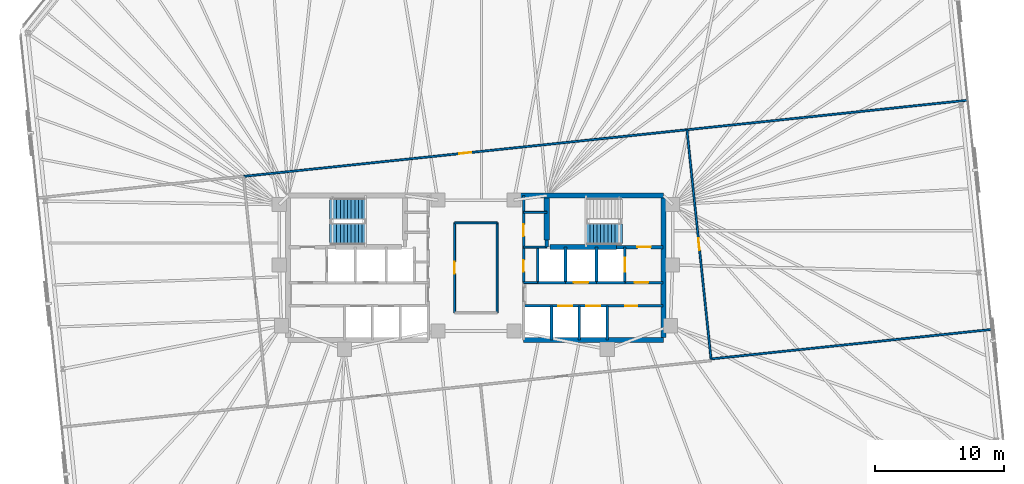
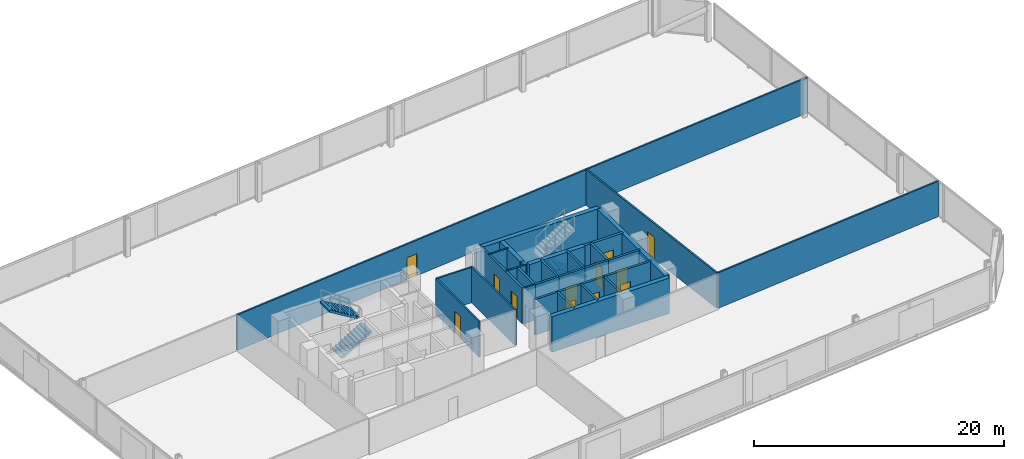
# One storey, part 15 of 17: 30 walls, 12 doors, 3 stair flights, 12 openings, 2 elements without a shape of their own.
"""IFC4 building model written with IfcOpenShell, lengths in metres."""

from ifc_helpers import new_model, si_unit, direction, frame, frame_2d, origin, place, context, subcontext, project, spatial, polyline, rectangle, outline, extrude, material, layer, layer_set, type_object, element, fill, aggregate, save


model = new_model("IFC4")

# Units and contexts
model_context = context("Model", 3, precision=1e-05, world=origin(), true_north=direction((0.0, 1.0)))
body_context = subcontext(model_context, "Body", "Model", "MODEL_VIEW")
ifc_project = project(units=[si_unit("LENGTHUNIT", "METRE"), si_unit("AREAUNIT", "SQUARE_METRE"), si_unit("VOLUMEUNIT", "CUBIC_METRE"), si_unit("PLANEANGLEUNIT", "RADIAN"), si_unit("MASSUNIT", "GRAM", prefix="KILO")], contexts=[model_context])

# Site, building, storey
site_placement = place(None, origin())
site = spatial("IfcSite", under=ifc_project, at=site_placement, CompositionType="ELEMENT")
building_placement = place(site_placement, origin())
building = spatial("IfcBuilding", under=site, at=building_placement, Name="Menara Jurai Vektor", CompositionType="ELEMENT")
storey_placement = place(building_placement, frame((0.0, 0.0, 87.39990234375)))
storey = spatial("IfcBuildingStorey", under=building, at=storey_placement, Name="L21", CompositionType="ELEMENT", Elevation=87.39990234375)

# Wall, opening, door
ifc_material_1 = material(Name="Concrete C40/50", Category="concrete")
ifc_layer_1 = layer(ifc_material_1, 0.25)
ifc_layer_set_1 = layer_set([ifc_layer_1], Name="Concrete C40/50")
wall_type_1 = type_object("IfcWallType", Name="INT-WALL-CORE-250", PredefinedType="STANDARD", material=ifc_layer_set_1)
wall_1_placement = place(storey_placement, frame((10.89990234375, 1.60009765625, 0.0), z_axis=(0.0, 0.0, 1.0), x_axis=(1.0, 0.0, 0.0)))
wall_1 = element("IfcWall", 1, at=wall_1_placement, inside=storey, type_object=wall_type_1, Name="Interior Wall IW-250 L21", PredefinedType="STANDARD", context=body_context, shape_type="SweptSolid", body=[
    extrude(rectangle(XDim=3.60009765625, YDim=0.25, at=frame_2d((1.800048828125, 0.0))), origin(), (0.0, 0.0, 1.0), 3.47509765625),
])
opening_1_placement = place(wall_1_placement, frame((1.6201171875, 0.0, 0.0)))
opening_1 = element("IfcOpeningElement", 2, at=opening_1_placement, cuts=wall_1, Name="Opening D-L21-ST2", PredefinedType="OPENING", context=body_context, shape_type="SweptSolid", body=[
    extrude(rectangle(XDim=1.050048828125, YDim=2.14990234375, at=frame_2d((0.52490234375, 1.074951171875))), frame((0.0, 0.135009765625, 0.0), z_axis=(0.0, -1.0, 0.0), x_axis=(1.0, 0.0, 0.0)), (0.0, 0.0, 1.0), 0.27001953125),
])
ifc_material_2 = material(Name="Fire-Rated Steel Door", Category="steel")
door_type_1 = type_object("IfcDoorType", Name="DR-STAIR-1050", OperationType="NOTDEFINED", PredefinedType="DOOR", material=ifc_material_2)
door_1_placement = place(opening_1_placement, origin())
door_1 = element("IfcDoor", 3, at=door_1_placement, inside=storey, type_object=door_type_1, Name="Exit Stair ST2 Door L21", OperationType="SINGLE_SWING_LEFT", OverallHeight=2.14990234375, OverallWidth=1.050048828125, PredefinedType="DOOR", context=body_context, shape_type="SweptSolid", body=[
    extrude(rectangle(XDim=1.050048828125, YDim=2.14990234375, at=frame_2d((0.52490234375, 1.074951171875))), frame((0.0, 0.02490234375, 0.0), z_axis=(0.0, -1.0, 0.0), x_axis=(1.0, 0.0, 0.0)), (0.0, 0.0, 1.0), 0.050048828125),
])
fill(opening_1, door_1)

# Wall
wall_2_placement = place(storey_placement, frame((5.5, 1.60009765625, 0.0), z_axis=(0.0, 0.0, 1.0), x_axis=(0.0, 1.0, 0.0)))
element("IfcWall", 4, at=wall_2_placement, inside=storey, type_object=wall_type_1, Name="Interior Wall IW-250 L21", PredefinedType="STANDARD", context=body_context, shape_type="SweptSolid", body=[
    extrude(rectangle(XDim=0.5498046875, YDim=0.25, at=frame_2d((0.27490234375, 0.0))), origin(), (0.0, 0.0, 1.0), 3.47509765625),
])

# Wall, opening, door
wall_3_placement = place(storey_placement, frame((11.550048828125, -1.14990234375, 0.0), z_axis=(0.0, 0.0, 1.0), x_axis=(0.0, 1.0, 0.0)))
wall_3 = element("IfcWall", 5, at=wall_3_placement, inside=storey, type_object=wall_type_1, Name="Interior Wall IW-250 L21", PredefinedType="STANDARD", context=body_context, shape_type="SweptSolid", body=[
    extrude(rectangle(XDim=2.75, YDim=0.199951171875, at=frame_2d((1.375, 0.0))), origin(), (0.0, 0.0, 1.0), 3.47509765625),
])
opening_2_placement = place(wall_3_placement, frame((0.824951171875, 0.0, 0.0)))
opening_2 = element("IfcOpeningElement", 6, at=opening_2_placement, cuts=wall_3, Name="Opening LD-L21-FL2", PredefinedType="OPENING", context=body_context, shape_type="SweptSolid", body=[
    extrude(rectangle(XDim=1.10009765625, YDim=2.14990234375, at=frame_2d((0.550048828125, 1.074951171875))), frame((0.0, 0.10986328125, 0.0), z_axis=(0.0, -1.0, 0.0), x_axis=(1.0, 0.0, 0.0)), (0.0, 0.0, 1.0), 0.219970703125),
])
ifc_material_3 = material(Name="Stainless Steel Sliding Lift Landing Door", Category="steel")
door_type_2 = type_object("IfcDoorType", Name="DR-LIFT-FIRE-1100", OperationType="NOTDEFINED", PredefinedType="DOOR", material=ifc_material_3)
door_2_placement = place(opening_2_placement, origin())
door_2 = element("IfcDoor", 7, at=door_2_placement, inside=storey, type_object=door_type_2, Name="Lift Landing Door FL2 L21", OperationType="SLIDING_TO_RIGHT", OverallHeight=2.14990234375, OverallWidth=1.10009765625, PredefinedType="DOOR", context=body_context, shape_type="SweptSolid", body=[
    extrude(rectangle(XDim=1.10009765625, YDim=2.14990234375, at=frame_2d((0.550048828125, 1.074951171875))), frame((0.0, 0.02490234375, 0.0), z_axis=(0.0, -1.0, 0.0), x_axis=(1.0, 0.0, 0.0)), (0.0, 0.0, 1.0), 0.050048828125),
])
fill(opening_2, door_2)

# Wall
wall_4_placement = place(storey_placement, frame((9.35009765625, -1.14990234375, 0.0), z_axis=(0.0, 0.0, 1.0), x_axis=(0.0, 1.0, 0.0)))
element("IfcWall", 8, at=wall_4_placement, inside=storey, type_object=wall_type_1, Name="Interior Wall IW-250 L21", PredefinedType="STANDARD", context=body_context, shape_type="SweptSolid", body=[
    extrude(rectangle(XDim=2.75, YDim=0.199951171875, at=frame_2d((1.375, 0.0))), origin(), (0.0, 0.0, 1.0), 3.47509765625),
])

# Wall, opening, door
wall_5_placement = place(storey_placement, frame((11.550048828125, -1.14990234375, 0.0), z_axis=(0.0, 0.0, 1.0), x_axis=(1.0, 0.0, 0.0)))
wall_5 = element("IfcWall", 9, at=wall_5_placement, inside=storey, type_object=wall_type_1, Name="Interior Wall IW-250 L21", PredefinedType="STANDARD", context=body_context, shape_type="SweptSolid", body=[
    extrude(rectangle(XDim=2.949951171875, YDim=0.199951171875, at=frame_2d((1.47509765625, 0.0))), origin(), (0.0, 0.0, 1.0), 3.47509765625),
])
opening_3_placement = place(wall_5_placement, frame((0.75, 0.0, 0.0)))
opening_3 = element("IfcOpeningElement", 10, at=opening_3_placement, cuts=wall_5, Name="Opening D-L21-FFE", PredefinedType="OPENING", context=body_context, shape_type="SweptSolid", body=[
    extrude(rectangle(XDim=1.050048828125, YDim=2.179931640625, at=frame_2d((0.52490234375, 1.08984375))), frame((0.0, 0.10986328125, 0.0), z_axis=(0.0, -1.0, 0.0), x_axis=(1.0, 0.0, 0.0)), (0.0, 0.0, 1.0), 0.219970703125),
])
ifc_material_4 = material(Name="Fire-Rated Timber Door", Category="wood")
door_type_3 = type_object("IfcDoorType", Name="DR-LOBBY-1050", OperationType="NOTDEFINED", PredefinedType="DOOR", material=ifc_material_4)
door_3_placement = place(opening_3_placement, origin())
door_3 = element("IfcDoor", 11, at=door_3_placement, inside=storey, type_object=door_type_3, Name="Fire Lift Lobby Door E L21", OperationType="SINGLE_SWING_LEFT", OverallHeight=2.179931640625, OverallWidth=1.050048828125, PredefinedType="DOOR", context=body_context, shape_type="SweptSolid", body=[
    extrude(rectangle(XDim=1.050048828125, YDim=2.179931640625, at=frame_2d((0.52490234375, 1.08984375))), frame((0.0, 0.02490234375, 0.0), z_axis=(0.0, -1.0, 0.0), x_axis=(1.0, 0.0, 0.0)), (0.0, 0.0, 1.0), 0.050048828125),
])
fill(opening_3, door_3)

# Walls
wall_6_placement = place(storey_placement, frame((9.35009765625, -1.14990234375, 0.0), z_axis=(0.0, 0.0, 1.0), x_axis=(1.0, 0.0, 0.0)))
element("IfcWall", 12, at=wall_6_placement, inside=storey, type_object=wall_type_1, Name="Interior Wall IW-250 L21", PredefinedType="STANDARD", context=body_context, shape_type="SweptSolid", body=[
    extrude(rectangle(XDim=2.199951171875, YDim=0.199951171875, at=frame_2d((1.10009765625, 0.0))), origin(), (0.0, 0.0, 1.0), 3.47509765625),
])
ifc_material_5 = material(Name="Gypsum Fireboard Partition", Category="gypsum")
ifc_layer_2 = layer(ifc_material_5, 0.14990234375)
ifc_layer_set_2 = layer_set([ifc_layer_2], Name="Gypsum Fireboard Partition")
wall_type_2 = type_object("IfcWallType", Name="INT-WALL-CORR-150", PredefinedType="PARTITIONING", material=ifc_layer_set_2)
wall_7_placement = place(storey_placement, frame((3.699951171875, -1.14990234375, 0.0), z_axis=(0.0, 0.0, 1.0), x_axis=(1.0, 0.0, 0.0)))
element("IfcWall", 13, at=wall_7_placement, inside=storey, type_object=wall_type_2, Name="Interior Wall IW-150 L21", PredefinedType="PARTITIONING", context=body_context, shape_type="SweptSolid", body=[
    extrude(rectangle(XDim=1.090087890625, YDim=0.14990234375, at=frame_2d((0.544921875, 0.0))), origin(), (0.0, 0.0, 1.0), 3.47509765625),
])
for number, where, z_axis, x_axis, name in (
    (14, (3.699951171875, 4.300048828125, 0.0), (0.0, 0.0, 1.0), (1.0, 0.0, 0.0), "Interior Wall IW-150 L21"),
    (15, (3.699951171875, 1.60009765625, 0.0), (0.0, 0.0, 1.0), (1.0, 0.0, 0.0), "Interior Wall IW-150 L21"),
):
    element("IfcWall", number, at=place(storey_placement, frame(where, z_axis=z_axis, x_axis=x_axis)), inside=storey, type_object=wall_type_2, Name=name, PredefinedType="PARTITIONING", context=body_context, shape_type="SweptSolid", body=[
        extrude(rectangle(XDim=1.800048828125, YDim=0.14990234375, at=frame_2d((0.89990234375, 0.0))), origin(), (0.0, 0.0, 1.0), 3.47509765625),
    ])

# Wall, opening, door
wall_8_placement = place(storey_placement, frame((-1.649658203125, -3.490478515625, 0.0), z_axis=(0.0, 0.0, 1.0), x_axis=(-0.000104928124, 0.999999994495, 0.0)))
wall_8 = element("IfcWall", 16, at=wall_8_placement, inside=storey, type_object=wall_type_2, Name="Interior Wall IW-150 L21", PredefinedType="PARTITIONING", context=body_context, shape_type="SweptSolid", body=[
    extrude(rectangle(XDim=6.980224609375, YDim=0.14990234375, at=frame_2d((3.490234375, 0.0))), origin(), (0.0, 0.0, 1.0), 3.47509765625),
])
opening_4_placement = place(wall_8_placement, frame((3.01513671875, 0.0, 0.0)))
opening_4 = element("IfcOpeningElement", 17, at=opening_4_placement, cuts=wall_8, Name="Opening D21-08", PredefinedType="OPENING", context=body_context, shape_type="SweptSolid", body=[
    extrude(rectangle(XDim=0.949951171875, YDim=2.14990234375, at=frame_2d((0.47509765625, 1.074951171875))), frame((0.0, 0.0849609375, 0.0), z_axis=(0.0, -1.0, 0.0), x_axis=(1.0, 0.0, 0.0)), (0.0, 0.0, 1.0), 0.169921875),
])
ifc_material_6 = material(Name="Solid Core Timber Fire Door", Category="wood")
door_type_4 = type_object("IfcDoorType", Name="DR-ENTRY-950", OperationType="NOTDEFINED", PredefinedType="DOOR", material=ifc_material_6)
door_4_placement = place(opening_4_placement, origin())
door_4 = element("IfcDoor", 18, at=door_4_placement, inside=storey, type_object=door_type_4, Name="Interior Door D21-08", OperationType="SINGLE_SWING_LEFT", OverallHeight=2.14990234375, OverallWidth=0.949951171875, PredefinedType="DOOR", context=body_context, shape_type="SweptSolid", body=[
    extrude(rectangle(XDim=0.949951171875, YDim=2.14990234375, at=frame_2d((0.47509765625, 1.074951171875))), frame((0.0, 0.02490234375, 0.0), z_axis=(0.0, -1.0, 0.0), x_axis=(1.0, 0.0, 0.0)), (0.0, 0.0, 1.0), 0.050048828125),
])
fill(opening_4, door_4)

# Walls
wall_9_placement = place(storey_placement, frame((-1.650390625, 3.48974609375, 0.0), z_axis=(0.0, 0.0, 1.0), x_axis=(1.0, 0.0, 0.0)))
element("IfcWall", 19, at=wall_9_placement, inside=storey, type_object=wall_type_2, Name="Interior Wall IW-150 L21", PredefinedType="PARTITIONING", context=body_context, shape_type="SweptSolid", body=[
    extrude(rectangle(XDim=3.30029296875, YDim=0.14990234375, at=frame_2d((1.650146484375, 0.0))), origin(), (0.0, 0.0, 1.0), 3.47509765625),
])
wall_10_placement = place(storey_placement, frame((1.650390625, -3.490478515625, 0.0), z_axis=(0.0, 0.0, 1.0), x_axis=(-6.9952083e-05, 0.999999997553, 0.0)))
element("IfcWall", 20, at=wall_10_placement, inside=storey, type_object=wall_type_2, Name="Interior Wall IW-150 L21", PredefinedType="PARTITIONING", context=body_context, shape_type="SweptSolid", body=[
    extrude(rectangle(XDim=6.980224609375, YDim=0.14990234375, at=frame_2d((3.490234375, 0.0))), origin(), (0.0, 0.0, 1.0), 3.47509765625),
])

# Wall, opening, door
wall_11_placement = place(storey_placement, frame((-18.021240234375, 7.09033203125, 0.0), z_axis=(0.0, 0.0, 1.0), x_axis=(0.994522464549, 0.104523047737, 0.0)))
wall_11 = element("IfcWall", 21, at=wall_11_placement, inside=storey, type_object=wall_type_2, Name="Interior Wall IW-150 L21", PredefinedType="PARTITIONING", context=body_context, shape_type="SweptSolid", body=[
    extrude(rectangle(XDim=34.573974609375, YDim=0.14990234375, at=frame_2d((17.287109375, 0.0))), origin(), (0.0, 0.0, 1.0), 3.47509765625),
])
opening_5_placement = place(wall_11_placement, frame((16.81201171875, 0.0, 0.0)))
opening_5 = element("IfcOpeningElement", 22, at=opening_5_placement, cuts=wall_11, Name="Opening D21-09", PredefinedType="OPENING", context=body_context, shape_type="SweptSolid", body=[
    extrude(rectangle(XDim=0.949951171875, YDim=2.14990234375, at=frame_2d((0.47509765625, 1.074951171875))), frame((0.0, 0.0849609375, 0.0), z_axis=(0.0, -1.0, 0.0), x_axis=(1.0, 0.0, 0.0)), (0.0, 0.0, 1.0), 0.169921875),
])
door_5_placement = place(opening_5_placement, origin())
door_5 = element("IfcDoor", 23, at=door_5_placement, inside=storey, type_object=door_type_4, Name="Interior Door D21-09", OperationType="SINGLE_SWING_RIGHT", OverallHeight=2.14990234375, OverallWidth=0.949951171875, PredefinedType="DOOR", context=body_context, shape_type="SweptSolid", body=[
    extrude(rectangle(XDim=0.949951171875, YDim=2.14990234375, at=frame_2d((0.47509765625, 1.074951171875))), frame((0.0, 0.02490234375, 0.0), z_axis=(0.0, -1.0, 0.0), x_axis=(1.0, 0.0, 0.0)), (0.0, 0.0, 1.0), 0.050048828125),
])
fill(opening_5, door_5)

wall_12_placement = place(storey_placement, frame((18.231201171875, -7.06787109375, 0.0), z_axis=(0.0, 0.0, 1.0), x_axis=(-0.104529034836, 0.994521835294, 0.0)))
wall_12 = element("IfcWall", 24, at=wall_12_placement, inside=storey, type_object=wall_type_2, Name="Interior Wall IW-150 L21", PredefinedType="PARTITIONING", context=body_context, shape_type="SweptSolid", body=[
    extrude(rectangle(XDim=17.869873046875, YDim=0.14990234375, at=frame_2d((8.93505859375, 0.0))), origin(), (0.0, 0.0, 1.0), 3.47509765625),
])
opening_6_placement = place(wall_12_placement, frame((8.4599609375, 0.0, 0.0)))
opening_6 = element("IfcOpeningElement", 25, at=opening_6_placement, cuts=wall_12, Name="Opening D21-13", PredefinedType="OPENING", context=body_context, shape_type="SweptSolid", body=[
    extrude(rectangle(XDim=0.949951171875, YDim=2.14990234375, at=frame_2d((0.47509765625, 1.074951171875))), frame((0.0, 0.0849609375, 0.0), z_axis=(0.0, -1.0, 0.0), x_axis=(1.0, 0.0, 0.0)), (0.0, 0.0, 1.0), 0.169921875),
])
door_6_placement = place(opening_6_placement, origin())
door_6 = element("IfcDoor", 26, at=door_6_placement, inside=storey, type_object=door_type_4, Name="Interior Door D21-13", OperationType="SINGLE_SWING_RIGHT", OverallHeight=2.14990234375, OverallWidth=0.949951171875, PredefinedType="DOOR", context=body_context, shape_type="SweptSolid", body=[
    extrude(rectangle(XDim=0.949951171875, YDim=2.14990234375, at=frame_2d((0.47509765625, 1.074951171875))), frame((0.0, 0.02490234375, 0.0), z_axis=(0.0, -1.0, 0.0), x_axis=(1.0, 0.0, 0.0)), (0.0, 0.0, 1.0), 0.050048828125),
])
fill(opening_6, door_6)

# Walls
wall_13_placement = place(storey_placement, frame((16.36328125, 10.7041015625, 0.0), z_axis=(0.0, 0.0, 1.0), x_axis=(0.994521206634, 0.104535015934, 0.0)))
element("IfcWall", 27, at=wall_13_placement, inside=storey, type_object=wall_type_2, Name="Interior Wall IW-150 L21", PredefinedType="PARTITIONING", context=body_context, shape_type="SweptSolid", body=[
    extrude(rectangle(XDim=21.892822265625, YDim=0.14990234375, at=frame_2d((10.9462890625, 0.0))), origin(), (0.0, 0.0, 1.0), 3.47509765625),
])
wall_14_placement = place(storey_placement, frame((18.231201171875, -7.06787109375, 0.0), z_axis=(0.0, 0.0, 1.0), x_axis=(0.994521328491, 0.104533856601, 0.0)))
element("IfcWall", 28, at=wall_14_placement, inside=storey, type_object=wall_type_2, Name="Interior Wall IW-150 L21", PredefinedType="PARTITIONING", context=body_context, shape_type="SweptSolid", body=[
    extrude(rectangle(XDim=21.89306640625, YDim=0.14990234375, at=frame_2d((10.946533203125, 0.0))), origin(), (0.0, 0.0, 1.0), 3.47509765625),
])

# Wall, openings, doors
ifc_layer_3 = layer(ifc_material_1, 0.199951171875)
ifc_layer_set_3 = layer_set([ifc_layer_3], Name="Concrete C40/50")
wall_type_3 = type_object("IfcWallType", Name="INT-WALL-SHAFT-200", PredefinedType="STANDARD", material=ifc_layer_set_3)
wall_15_placement = place(storey_placement, frame((3.699951171875, -1.14990234375, 0.0), z_axis=(0.0, 0.0, 1.0), x_axis=(0.0, 1.0, 0.0)))
wall_15 = element("IfcWall", 29, at=wall_15_placement, inside=storey, type_object=wall_type_3, Name="Interior Wall IW-200 L21", PredefinedType="STANDARD", context=body_context, shape_type="SweptSolid", body=[
    extrude(rectangle(XDim=6.75, YDim=0.199951171875, at=frame_2d((3.375, 0.0))), origin(), (0.0, 0.0, 1.0), 3.47509765625),
])
opening_7_placement = place(wall_15_placement, frame((3.60009765625, 0.0, 0.0)))
opening_7 = element("IfcOpeningElement", 30, at=opening_7_placement, cuts=wall_15, Name="Opening D21-06", PredefinedType="OPENING", context=body_context, shape_type="SweptSolid", body=[
    extrude(rectangle(XDim=0.919921875, YDim=2.14990234375, at=frame_2d((0.4599609375, 1.074951171875))), frame((0.0, 0.10986328125, 0.0), z_axis=(0.0, -1.0, 0.0), x_axis=(1.0, 0.0, 0.0)), (0.0, 0.0, 1.0), 0.219970703125),
])
opening_8_placement = place(wall_15_placement, frame((0.85009765625, 0.0, 0.0)))
opening_8 = element("IfcOpeningElement", 31, at=opening_8_placement, cuts=wall_15, Name="Opening D21-07", PredefinedType="OPENING", context=body_context, shape_type="SweptSolid", body=[
    extrude(rectangle(XDim=0.89990234375, YDim=2.14990234375, at=frame_2d((0.449951171875, 1.074951171875))), frame((0.0, 0.10986328125, 0.0), z_axis=(0.0, -1.0, 0.0), x_axis=(1.0, 0.0, 0.0)), (0.0, 0.0, 1.0), 0.219970703125),
])
door_7_placement = place(opening_7_placement, origin())
door_7 = element("IfcDoor", 32, at=door_7_placement, inside=storey, type_object=door_type_4, Name="Interior Door D21-06", OperationType="SINGLE_SWING_RIGHT", OverallHeight=2.14990234375, OverallWidth=0.919921875, PredefinedType="DOOR", context=body_context, shape_type="SweptSolid", body=[
    extrude(rectangle(XDim=0.919921875, YDim=2.14990234375, at=frame_2d((0.4599609375, 1.074951171875))), frame((0.0, 0.02490234375, 0.0), z_axis=(0.0, -1.0, 0.0), x_axis=(1.0, 0.0, 0.0)), (0.0, 0.0, 1.0), 0.050048828125),
])
fill(opening_7, door_7)
door_8_placement = place(opening_8_placement, origin())
door_8 = element("IfcDoor", 33, at=door_8_placement, inside=storey, type_object=door_type_4, Name="Interior Door D21-07", OperationType="SINGLE_SWING_RIGHT", OverallHeight=2.14990234375, OverallWidth=0.89990234375, PredefinedType="DOOR", context=body_context, shape_type="SweptSolid", body=[
    extrude(rectangle(XDim=0.89990234375, YDim=2.14990234375, at=frame_2d((0.449951171875, 1.074951171875))), frame((0.0, 0.02490234375, 0.0), z_axis=(0.0, -1.0, 0.0), x_axis=(1.0, 0.0, 0.0)), (0.0, 0.0, 1.0), 0.050048828125),
])
fill(opening_8, door_8)

# Wall
wall_16_placement = place(storey_placement, frame((6.949951171875, -1.14990234375, 0.0), z_axis=(0.0, 0.0, 1.0), x_axis=(0.0, 1.0, 0.0)))
element("IfcWall", 34, at=wall_16_placement, inside=storey, type_object=wall_type_3, Name="Interior Wall IW-200 L21", PredefinedType="STANDARD", context=body_context, shape_type="SweptSolid", body=[
    extrude(rectangle(XDim=2.75, YDim=0.199951171875, at=frame_2d((1.375, 0.0))), origin(), (0.0, 0.0, 1.0), 3.47509765625),
])

# Wall, opening, door
wall_17_placement = place(storey_placement, frame((6.949951171875, -1.14990234375, 0.0), z_axis=(0.0, 0.0, 1.0), x_axis=(1.0, 0.0, 0.0)))
wall_17 = element("IfcWall", 35, at=wall_17_placement, inside=storey, type_object=wall_type_3, Name="Interior Wall IW-200 L21", PredefinedType="STANDARD", context=body_context, shape_type="SweptSolid", body=[
    extrude(rectangle(XDim=2.400146484375, YDim=0.199951171875, at=frame_2d((1.2001953125, 0.0))), origin(), (0.0, 0.0, 1.0), 3.47509765625),
])
opening_9_placement = place(wall_17_placement, frame((0.64990234375, 0.0, 0.0)))
opening_9 = element("IfcOpeningElement", 36, at=opening_9_placement, cuts=wall_17, Name="Opening LD-L21-SVL2", PredefinedType="OPENING", context=body_context, shape_type="SweptSolid", body=[
    extrude(rectangle(XDim=1.10009765625, YDim=2.14990234375, at=frame_2d((0.550048828125, 1.074951171875))), frame((0.0, 0.10986328125, 0.0), z_axis=(0.0, -1.0, 0.0), x_axis=(1.0, 0.0, 0.0)), (0.0, 0.0, 1.0), 0.219970703125),
])
ifc_material_7 = material(Name="Anodised Stainless Sliding Lift Landing Door", Category="steel")
door_type_5 = type_object("IfcDoorType", Name="DR-LIFT-PASS-1100", OperationType="NOTDEFINED", PredefinedType="DOOR", material=ifc_material_7)
door_9_placement = place(opening_9_placement, origin())
door_9 = element("IfcDoor", 37, at=door_9_placement, inside=storey, type_object=door_type_5, Name="Lift Landing Door SVL2 L21", OperationType="SLIDING_TO_RIGHT", OverallHeight=2.14990234375, OverallWidth=1.10009765625, PredefinedType="DOOR", context=body_context, shape_type="SweptSolid", body=[
    extrude(rectangle(XDim=1.10009765625, YDim=2.14990234375, at=frame_2d((0.550048828125, 1.074951171875))), frame((0.0, 0.02490234375, 0.0), z_axis=(0.0, -1.0, 0.0), x_axis=(1.0, 0.0, 0.0)), (0.0, 0.0, 1.0), 0.050048828125),
])
fill(opening_9, door_9)

# Walls
wall_18_placement = place(storey_placement, frame((4.7900390625, -1.14990234375, 0.0), z_axis=(0.0, 0.0, 1.0), x_axis=(0.0, 1.0, 0.0)))
element("IfcWall", 38, at=wall_18_placement, inside=storey, type_object=wall_type_3, Name="Interior Wall IW-200 L21", PredefinedType="STANDARD", context=body_context, shape_type="SweptSolid", body=[
    extrude(rectangle(XDim=2.75, YDim=0.199951171875, at=frame_2d((1.375, 0.0))), origin(), (0.0, 0.0, 1.0), 3.47509765625),
])
wall_19_placement = place(storey_placement, frame((4.7900390625, -1.14990234375, 0.0), z_axis=(0.0, 0.0, 1.0), x_axis=(1.0, 0.0, 0.0)))
element("IfcWall", 39, at=wall_19_placement, inside=storey, type_object=wall_type_3, Name="Interior Wall IW-200 L21", PredefinedType="STANDARD", context=body_context, shape_type="SweptSolid", body=[
    extrude(rectangle(XDim=2.159912109375, YDim=0.199951171875, at=frame_2d((1.080078125, 0.0))), origin(), (0.0, 0.0, 1.0), 3.47509765625),
])

# Wall, openings, doors
wall_20_placement = place(storey_placement, frame((3.699951171875, -2.949951171875, 0.0), z_axis=(0.0, 0.0, 1.0), x_axis=(1.0, 0.0, 0.0)))
wall_20 = element("IfcWall", 40, at=wall_20_placement, inside=storey, type_object=wall_type_3, Name="Interior Wall IW-200 L21", PredefinedType="STANDARD", context=body_context, shape_type="SweptSolid", body=[
    extrude(rectangle(XDim=10.800048828125, YDim=0.199951171875, at=frame_2d((5.39990234375, 0.0))), origin(), (0.0, 0.0, 1.0), 3.47509765625),
])
opening_10_placement = place(wall_20_placement, frame((2.68994140625, 0.0, 0.0)))
opening_10 = element("IfcOpeningElement", 41, at=opening_10_placement, cuts=wall_20, Name="Opening LD-L21-PM3", PredefinedType="OPENING", context=body_context, shape_type="SweptSolid", body=[
    extrude(rectangle(XDim=1.10009765625, YDim=2.14990234375, at=frame_2d((0.550048828125, 1.074951171875))), frame((0.0, 0.10986328125, 0.0), z_axis=(0.0, -1.0, 0.0), x_axis=(1.0, 0.0, 0.0)), (0.0, 0.0, 1.0), 0.219970703125),
])
opening_11_placement = place(wall_20_placement, frame((4.85009765625, 0.0, 0.0)))
opening_11 = element("IfcOpeningElement", 42, at=opening_11_placement, cuts=wall_20, Name="Opening LD-L21-PM4", PredefinedType="OPENING", context=body_context, shape_type="SweptSolid", body=[
    extrude(rectangle(XDim=1.10009765625, YDim=2.14990234375, at=frame_2d((0.550048828125, 1.074951171875))), frame((0.0, 0.10986328125, 0.0), z_axis=(0.0, -1.0, 0.0), x_axis=(1.0, 0.0, 0.0)), (0.0, 0.0, 1.0), 0.219970703125),
])
opening_12_placement = place(wall_20_placement, frame((7.8798828125, 0.0, 0.0)))
opening_12 = element("IfcOpeningElement", 43, at=opening_12_placement, cuts=wall_20, Name="Opening D21-05", PredefinedType="OPENING", context=body_context, shape_type="SweptSolid", body=[
    extrude(rectangle(XDim=0.949951171875, YDim=2.14990234375, at=frame_2d((0.47509765625, 1.074951171875))), frame((0.0, 0.10986328125, 0.0), z_axis=(0.0, -1.0, 0.0), x_axis=(1.0, 0.0, 0.0)), (0.0, 0.0, 1.0), 0.219970703125),
])
door_10_placement = place(opening_12_placement, origin())
door_10 = element("IfcDoor", 44, at=door_10_placement, inside=storey, type_object=door_type_4, Name="Interior Door D21-05", OperationType="SINGLE_SWING_LEFT", OverallHeight=2.14990234375, OverallWidth=0.949951171875, PredefinedType="DOOR", context=body_context, shape_type="SweptSolid", body=[
    extrude(rectangle(XDim=0.949951171875, YDim=2.14990234375, at=frame_2d((0.47509765625, 1.074951171875))), frame((0.0, 0.02490234375, 0.0), z_axis=(0.0, -1.0, 0.0), x_axis=(1.0, 0.0, 0.0)), (0.0, 0.0, 1.0), 0.050048828125),
])
fill(opening_12, door_10)
door_11_placement = place(opening_10_placement, origin())
door_11 = element("IfcDoor", 45, at=door_11_placement, inside=storey, type_object=door_type_5, Name="Lift Landing Door PM3 L21", OperationType="SLIDING_TO_LEFT", OverallHeight=2.14990234375, OverallWidth=1.10009765625, PredefinedType="DOOR", context=body_context, shape_type="SweptSolid", body=[
    extrude(rectangle(XDim=1.10009765625, YDim=2.14990234375, at=frame_2d((0.550048828125, 1.074951171875))), frame((0.0, 0.02490234375, 0.0), z_axis=(0.0, -1.0, 0.0), x_axis=(1.0, 0.0, 0.0)), (0.0, 0.0, 1.0), 0.050048828125),
])
fill(opening_10, door_11)
door_12_placement = place(opening_11_placement, origin())
door_12 = element("IfcDoor", 46, at=door_12_placement, inside=storey, type_object=door_type_5, Name="Lift Landing Door PM4 L21", OperationType="SLIDING_TO_RIGHT", OverallHeight=2.14990234375, OverallWidth=1.10009765625, PredefinedType="DOOR", context=body_context, shape_type="SweptSolid", body=[
    extrude(rectangle(XDim=1.10009765625, YDim=2.14990234375, at=frame_2d((0.550048828125, 1.074951171875))), frame((0.0, 0.02490234375, 0.0), z_axis=(0.0, -1.0, 0.0), x_axis=(1.0, 0.0, 0.0)), (0.0, 0.0, 1.0), 0.050048828125),
])
fill(opening_11, door_12)

# Walls
wall_21_placement = place(storey_placement, frame((5.860107421875, -5.60009765625, 0.0), z_axis=(0.0, 0.0, 1.0), x_axis=(0.0, 1.0, 0.0)))
element("IfcWall", 47, at=wall_21_placement, inside=storey, type_object=wall_type_3, Name="Interior Wall IW-200 L21", PredefinedType="STANDARD", context=body_context, shape_type="SweptSolid", body=[
    extrude(rectangle(XDim=2.650146484375, YDim=0.199951171875, at=frame_2d((1.3251953125, 0.0))), origin(), (0.0, 0.0, 1.0), 3.47509765625),
])
for number, where, z_axis, x_axis, name in (
    (48, (10.179931640625, -5.60009765625, 0.0), (0.0, 0.0, 1.0), (0.0, 1.0, 0.0), "Interior Wall IW-200 L21"),
    (49, (8.02001953125, -5.60009765625, 0.0), (0.0, 0.0, 1.0), (0.0, 1.0, 0.0), "Interior Wall IW-200 L21"),
):
    element("IfcWall", number, at=place(storey_placement, frame(where, z_axis=z_axis, x_axis=x_axis)), inside=storey, type_object=wall_type_3, Name=name, PredefinedType="STANDARD", context=body_context, shape_type="SweptSolid", body=[
        extrude(rectangle(XDim=2.650146484375, YDim=0.179931640625, at=frame_2d((1.3251953125, 0.0))), origin(), (0.0, 0.0, 1.0), 3.47509765625),
    ])
ifc_material_8 = material(Name="Concrete C50/60", Category="concrete")
ifc_layer_4 = layer(ifc_material_8, 0.39990234375)
ifc_layer_set_4 = layer_set([ifc_layer_4], Name="Concrete C50/60")
wall_type_4 = type_object("IfcWallType", Name="STR-WALL-CORE400", PredefinedType="SHEAR", material=ifc_layer_set_4)
wall_22_placement = place(storey_placement, frame((3.14990234375, 5.60009765625, 0.0), z_axis=(0.0, 0.0, 1.0), x_axis=(1.0, 0.0, 0.0)))
element("IfcWall", 50, at=wall_22_placement, inside=storey, type_object=wall_type_4, Name="Core Shear Wall CW-E-N L21", PredefinedType="SHEAR", context=body_context, shape_type="SweptSolid", body=[
    extrude(rectangle(XDim=11.41015625, YDim=0.39990234375, at=frame_2d((5.705078125, 0.0))), origin(), (0.0, 0.0, 1.0), 3.47509765625),
])
wall_23_placement = place(storey_placement, frame((3.699951171875, -5.60009765625, 0.0), z_axis=(0.0, 0.0, 1.0), x_axis=(1.0, 0.0, 0.0)))
element("IfcWall", 51, at=wall_23_placement, inside=storey, type_object=wall_type_4, Name="Core Shear Wall CW-E-S L21", PredefinedType="SHEAR", context=body_context, shape_type="SweptSolid", body=[
    extrude(rectangle(XDim=10.860107421875, YDim=0.39990234375, at=frame_2d((5.43017578125, 0.0))), origin(), (0.0, 0.0, 1.0), 3.47509765625),
])
wall_24_placement = place(storey_placement, frame((14.56005859375, -5.39990234375, 0.0), z_axis=(0.0, 0.0, 1.0), x_axis=(0.0, 1.0, 0.0)))
element("IfcWall", 52, at=wall_24_placement, inside=storey, type_object=wall_type_4, Name="Core Shear Wall CW-E-E L21", PredefinedType="SHEAR", context=body_context, shape_type="SweptSolid", body=[
    extrude(rectangle(XDim=10.7998046875, YDim=0.39990234375, at=frame_2d((5.39990234375, 0.0))), origin(), (0.0, 0.0, 1.0), 3.47509765625),
])
wall_25_placement = place(storey_placement, frame((5.5, 2.14990234375, 0.0), z_axis=(0.0, 0.0, 1.0), x_axis=(0.0, 1.0, 0.0)))
element("IfcWall", 53, at=wall_25_placement, inside=storey, type_object=wall_type_4, Name="Core Shear Wall CW-E-ST L21", PredefinedType="SHEAR", context=body_context, shape_type="SweptSolid", body=[
    extrude(rectangle(XDim=3.25, YDim=0.39990234375, at=frame_2d((1.625, 0.0))), origin(), (0.0, 0.0, 1.0), 3.47509765625),
])
wall_26_placement = place(storey_placement, frame((5.75, 1.60009765625, 0.0), z_axis=(0.0, 0.0, 1.0), x_axis=(1.0, 0.0, 0.0)))
element("IfcWall", 54, at=wall_26_placement, inside=storey, type_object=wall_type_4, Name="Core Shear Wall CW-E-STS L21", PredefinedType="SHEAR", context=body_context, shape_type="SweptSolid", body=[
    extrude(rectangle(XDim=5.14990234375, YDim=0.39990234375, at=frame_2d((2.574951171875, 0.0))), origin(), (0.0, 0.0, 1.0), 3.47509765625),
])

# Stair, stair flights
stair_type = type_object("IfcStairType", Name="STAIR-DOGLEG-1500", PredefinedType="HALF_TURN_STAIR", material=ifc_material_1)
stair_1_placement = place(storey_placement, origin())
stair_1 = element("IfcStair", 55, at=stair_1_placement, inside=storey, type_object=stair_type, Name="Protected Exit Stair ST1 L21", PredefinedType="HALF_TURN_STAIR")
stair_flight_type = type_object("IfcStairFlightType", Name="STAIR-FLIGHT-1500", PredefinedType="STRAIGHT", material=ifc_material_1)
stair_flight_1_placement = place(storey_placement, frame((-11.35009765625, 2.64990234375, 0.0), z_axis=(0.0, 0.0, 1.0), x_axis=(1.0, 0.0, 0.0)))
stair_flight_1 = element("IfcStairFlight", 56, at=stair_flight_1_placement, type_object=stair_flight_type, Name="ST1 flight 1", NumberOfRisers=11, NumberOfTreads=10, PredefinedType="STRAIGHT", RiserHeight=0.168182, TreadLength=0.28, context=body_context, shape_type="SweptSolid", body=[
    extrude(outline(polyline([(0.0, 0.0), (0.0, 0.168212890625), (0.280029296875, 0.168212890625), (0.280029296875, 0.33642578125), (0.56005859375, 0.33642578125), (0.56005859375, 0.504638671875), (0.840087890625, 0.504638671875), (0.840087890625, 0.672607421875), (1.1201171875, 0.672607421875), (1.1201171875, 0.8408203125), (1.39990234375, 0.8408203125), (1.39990234375, 1.009033203125), (1.679931640625, 1.009033203125), (1.679931640625, 1.17724609375), (1.9599609375, 1.17724609375), (1.9599609375, 1.345458984375), (2.239990234375, 1.345458984375), (2.239990234375, 1.513671875), (2.52001953125, 1.513671875), (2.52001953125, 1.681884765625), (2.800048828125, 1.681884765625), (2.800048828125, 1.85009765625), (2.800048828125, 1.495361328125), (0.310546875, 0.0), (0.0, 0.0)])), frame((0.0, 0.75, 0.0), z_axis=(0.0, -1.0, 0.0), x_axis=(1.0, 0.0, 0.0)), (0.0, 0.0, 1.0), 1.5),
])
stair_flight_2_placement = place(storey_placement, frame((-8.550048828125, 4.550048828125, 1.85009765625), z_axis=(0.0, 0.0, 1.0), x_axis=(-1.0, 0.0, 0.0)))
stair_flight_2 = element("IfcStairFlight", 57, at=stair_flight_2_placement, type_object=stair_flight_type, Name="ST1 flight 2", NumberOfRisers=11, NumberOfTreads=10, PredefinedType="STRAIGHT", RiserHeight=0.168182, TreadLength=0.28, context=body_context, shape_type="SweptSolid", body=[
    extrude(outline(polyline([(0.0, 0.0), (0.0, 0.168212890625), (0.280029296875, 0.168212890625), (0.280029296875, 0.33642578125), (0.56005859375, 0.33642578125), (0.56005859375, 0.504638671875), (0.840087890625, 0.504638671875), (0.840087890625, 0.672607421875), (1.1201171875, 0.672607421875), (1.1201171875, 0.8408203125), (1.39990234375, 0.8408203125), (1.39990234375, 1.009033203125), (1.679931640625, 1.009033203125), (1.679931640625, 1.17724609375), (1.9599609375, 1.17724609375), (1.9599609375, 1.345458984375), (2.239990234375, 1.345458984375), (2.239990234375, 1.513671875), (2.52001953125, 1.513671875), (2.52001953125, 1.681884765625), (2.800048828125, 1.681884765625), (2.800048828125, 1.85009765625), (2.800048828125, 1.495361328125), (0.310546875, 0.0), (0.0, 0.0)])), frame((0.0, 0.75, 0.0), z_axis=(0.0, -1.0, 0.0), x_axis=(1.0, 0.0, 0.0)), (0.0, 0.0, 1.0), 1.5),
])
aggregate(stair_1, [stair_flight_1, stair_flight_2])

# Stair, stair flight
stair_2_placement = place(storey_placement, origin())
stair_2 = element("IfcStair", 58, at=stair_2_placement, inside=storey, type_object=stair_type, Name="Protected Exit Stair ST2 L21", PredefinedType="HALF_TURN_STAIR")
stair_flight_3_placement = place(storey_placement, frame((11.35009765625, 2.64990234375, 0.0), z_axis=(0.0, 0.0, 1.0), x_axis=(-1.0, 0.0, 0.0)))
stair_flight_3 = element("IfcStairFlight", 59, at=stair_flight_3_placement, type_object=stair_flight_type, Name="ST2 flight 1", NumberOfRisers=11, NumberOfTreads=10, PredefinedType="STRAIGHT", RiserHeight=0.168182, TreadLength=0.28, context=body_context, shape_type="SweptSolid", body=[
    extrude(outline(polyline([(0.0, 0.0), (0.0, 0.168212890625), (0.280029296875, 0.168212890625), (0.280029296875, 0.33642578125), (0.56005859375, 0.33642578125), (0.56005859375, 0.504638671875), (0.840087890625, 0.504638671875), (0.840087890625, 0.672607421875), (1.1201171875, 0.672607421875), (1.1201171875, 0.8408203125), (1.39990234375, 0.8408203125), (1.39990234375, 1.009033203125), (1.679931640625, 1.009033203125), (1.679931640625, 1.17724609375), (1.9599609375, 1.17724609375), (1.9599609375, 1.345458984375), (2.239990234375, 1.345458984375), (2.239990234375, 1.513671875), (2.52001953125, 1.513671875), (2.52001953125, 1.681884765625), (2.800048828125, 1.681884765625), (2.800048828125, 1.85009765625), (2.800048828125, 1.495361328125), (0.310546875, 0.0), (0.0, 0.0)])), frame((0.0, 0.75, 0.0), z_axis=(0.0, -1.0, 0.0), x_axis=(1.0, 0.0, 0.0)), (0.0, 0.0, 1.0), 1.5),
])
aggregate(stair_2, [stair_flight_3])

save(model, "model.ifc")
